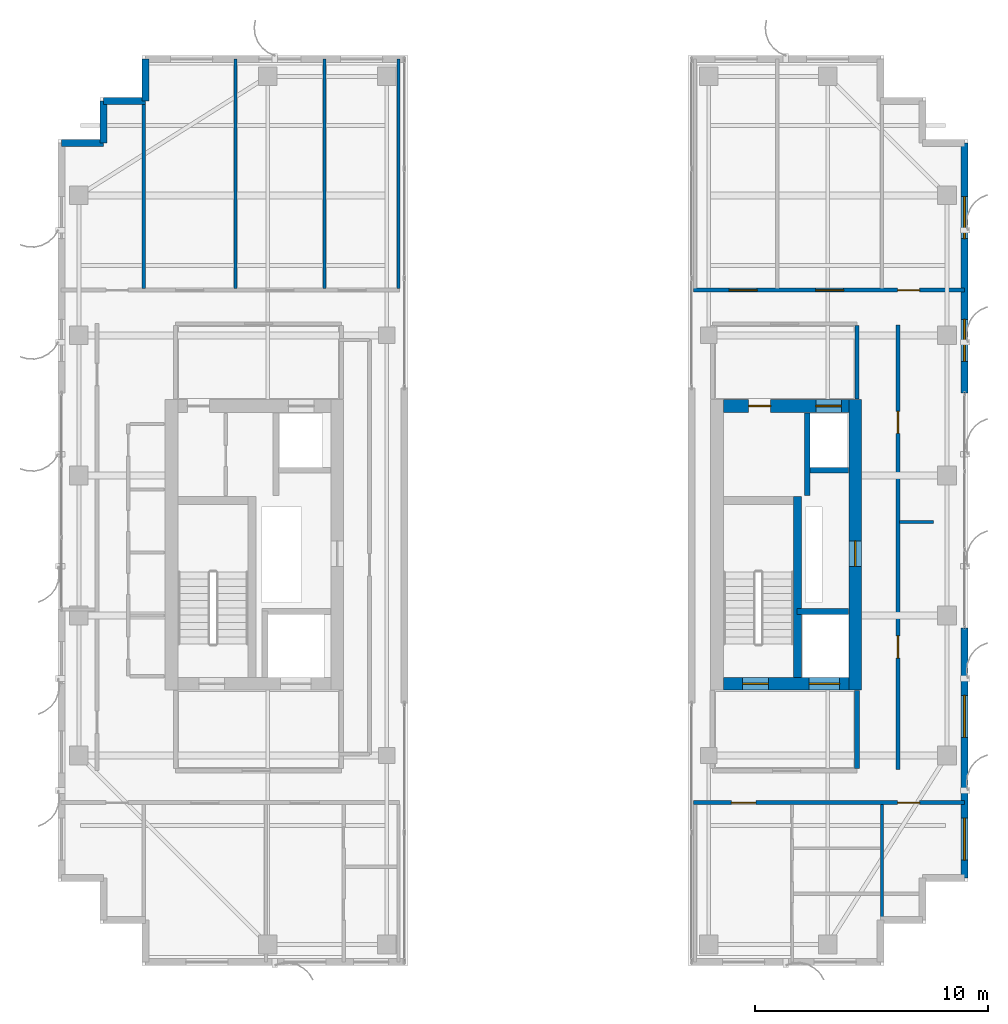
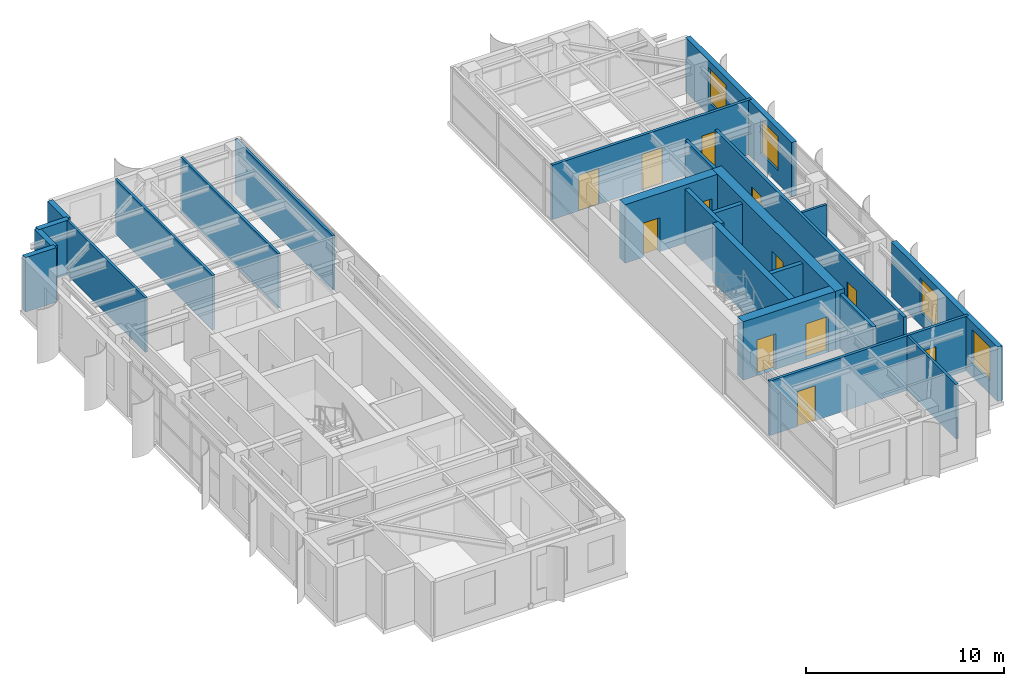
# One storey, part 20 of 24: 24 walls, 12 doors, 4 windows, 16 openings.
"""IFC4 building model written with IfcOpenShell, lengths in metres."""

from ifc_helpers import new_model, si_unit, direction, frame, frame_2d, origin, place, context, subcontext, project, spatial, rectangle, extrude, source, transform, mapped, material, layer, layer_set, type_object, element, fill, save


model = new_model("IFC4")

# Units and contexts
model_context = context("Model", 3, precision=1e-05, world=origin(), true_north=direction((0.0, 1.0)))
body_context = subcontext(model_context, "Body", "Model", "MODEL_VIEW")
ifc_project = project(units=[si_unit("LENGTHUNIT", "METRE"), si_unit("AREAUNIT", "SQUARE_METRE"), si_unit("VOLUMEUNIT", "CUBIC_METRE"), si_unit("PLANEANGLEUNIT", "RADIAN"), si_unit("MASSUNIT", "GRAM", prefix="KILO")], contexts=[model_context])

# Site, building, storey
site_placement = place(None, origin())
site = spatial("IfcSite", under=ifc_project, at=site_placement, CompositionType="ELEMENT")
building_placement = place(site_placement, origin())
building = spatial("IfcBuilding", under=site, at=building_placement, Name="Khoralis Quay Care Tower", CompositionType="ELEMENT")
storey_placement = place(building_placement, frame((0.0, 0.0, 238.5)))
storey = spatial("IfcBuildingStorey", under=building, at=storey_placement, Name="L62", CompositionType="ELEMENT", Elevation=238.5)

# Wall
ifc_material_1 = material(Name="Gypsum plasterboard on acoustic metal stud")
ifc_layer_1 = layer(ifc_material_1, 0.199951171875)
ifc_layer_set_1 = layer_set([ifc_layer_1], Name="Gypsum plasterboard on acoustic metal stud")
wall_type_1 = type_object("IfcWallType", Name="WL-COMP-200", PredefinedType="PARTITIONING", material=ifc_layer_set_1)
wall_1_placement = place(storey_placement, frame((37.25, 11.445068359375, 0.0), z_axis=(0.0, 0.0, 1.0), x_axis=(0.0, 1.0, 0.0)))
element("IfcWall", 1, at=wall_1_placement, inside=storey, type_object=wall_type_1, Name="L62 East Firefighting Lobby East Wall", PredefinedType="PARTITIONING", context=body_context, shape_type="SweptSolid", body=[
    extrude(rectangle(XDim=3.3349609375, YDim=0.199951171875, at=frame_2d((1.66748046875, 0.0))), origin(), (0.0, 0.0, 1.0), 3.360107421875),
])

# Wall, opening, door
ifc_material_2 = material(Name="Concrete C65/80", Category="concrete")
ifc_layer_2 = layer(ifc_material_2, 0.550048828125)
ifc_layer_set_2 = layer_set([ifc_layer_2], Name="Concrete C65/80")
wall_type_2 = type_object("IfcWallType", Name="WL-CORE-550", PredefinedType="SHEAR", material=ifc_layer_set_2)
wall_2_placement = place(storey_placement, frame((37.175048828125, 14.800048828125, 0.0), z_axis=(0.0, 0.0, 1.0), x_axis=(0.0, 1.0, 0.0)))
wall_2 = element("IfcWall", 2, at=wall_2_placement, inside=storey, type_object=wall_type_2, Name="L62 ECORE East Shear Wall", PredefinedType="SHEAR", context=body_context, shape_type="SweptSolid", body=[
    extrude(rectangle(XDim=12.449951171875, YDim=0.550048828125, at=frame_2d((6.22509765625, 0.0))), origin(), (0.0, 0.0, 1.0), 3.60009765625),
])
opening_1_placement = place(wall_2_placement, frame((5.300048828125, 0.0, 0.0)))
opening_1 = element("IfcOpeningElement", 3, at=opening_1_placement, cuts=wall_2, Name="Opening SD1", PredefinedType="OPENING", context=body_context, shape_type="SweptSolid", body=[
    extrude(rectangle(XDim=1.10009765625, YDim=2.199951171875, at=frame_2d((0.550048828125, 1.10009765625))), frame((0.0, 0.28515625, 0.0), z_axis=(0.0, -1.0, 0.0), x_axis=(1.0, 0.0, 0.0)), (0.0, 0.0, 1.0), 0.570068359375),
])
ifc_material_3 = material(Name="Fire-rated painted steel", Category="steel")
door_type_1 = type_object("IfcDoorType", Name="DR-STAIR-1100X2200", OperationType="NOTDEFINED", PredefinedType="DOOR", material=ifc_material_3)
shared_shape_1 = source(origin(), body_context, "Body", "SweptSolid", [
    extrude(rectangle(XDim=1.10009765625, YDim=2.199951171875, at=frame_2d((0.550048828125, 1.10009765625))), frame((0.0, 0.02490234375, 0.0), z_axis=(0.0, -1.0, 0.0), x_axis=(1.0, 0.0, 0.0)), (0.0, 0.0, 1.0), 0.050048828125),
])
door_1_placement = place(opening_1_placement, frame((1.10009765625, 0.0, 0.0), z_axis=(0.0, 0.0, 1.0), x_axis=(-1.0, 0.0, 0.0)))
door_1 = element("IfcDoor", 4, at=door_1_placement, inside=storey, type_object=door_type_1, Name="L62 East MEP Riser Door", OperationType="SINGLE_SWING_LEFT", OverallHeight=2.199951171875, OverallWidth=1.10009765625, PredefinedType="DOOR", context=body_context, shape_type="MappedRepresentation", body=[
    mapped(shared_shape_1, transform((0.0, 0.0, 0.0), scale=1.0)),
])
fill(opening_1, door_1)

# Wall, openings, doors
wall_3_placement = place(storey_placement, frame((31.52001953125, 15.074951171875, 0.0), z_axis=(0.0, 0.0, 1.0), x_axis=(1.0, 0.0, 0.0)))
wall_3 = element("IfcWall", 5, at=wall_3_placement, inside=storey, type_object=wall_type_2, Name="L62 ECORE South Shear Wall", PredefinedType="SHEAR", context=body_context, shape_type="SweptSolid", body=[
    extrude(rectangle(XDim=5.3798828125, YDim=0.550048828125, at=frame_2d((2.68994140625, 0.0))), origin(), (0.0, 0.0, 1.0), 3.60009765625),
])
opening_2_placement = place(wall_3_placement, frame((0.830078125, 0.0, 0.0)))
opening_2 = element("IfcOpeningElement", 6, at=opening_2_placement, cuts=wall_3, Name="Opening SD1", PredefinedType="OPENING", context=body_context, shape_type="SweptSolid", body=[
    extrude(rectangle(XDim=1.10009765625, YDim=2.199951171875, at=frame_2d((0.550048828125, 1.10009765625))), frame((0.0, 0.28515625, 0.0), z_axis=(0.0, -1.0, 0.0), x_axis=(1.0, 0.0, 0.0)), (0.0, 0.0, 1.0), 0.570068359375),
])
opening_3_placement = place(wall_3_placement, frame((3.679931640625, 0.0, 0.0)))
opening_3 = element("IfcOpeningElement", 7, at=opening_3_placement, cuts=wall_3, Name="Opening LD2", PredefinedType="OPENING", context=body_context, shape_type="SweptSolid", body=[
    extrude(rectangle(XDim=1.300048828125, YDim=2.199951171875, at=frame_2d((0.64990234375, 1.10009765625))), frame((0.0, 0.28515625, 0.0), z_axis=(0.0, -1.0, 0.0), x_axis=(1.0, 0.0, 0.0)), (0.0, 0.0, 1.0), 0.570068359375),
])
door_2_placement = place(opening_2_placement, origin())
door_2 = element("IfcDoor", 8, at=door_2_placement, inside=storey, type_object=door_type_1, Name="L62 Stair ST-T2 Fire Door", OperationType="SINGLE_SWING_LEFT", OverallHeight=2.199951171875, OverallWidth=1.10009765625, PredefinedType="DOOR", context=body_context, shape_type="MappedRepresentation", body=[
    mapped(shared_shape_1, transform((0.0, 0.0, 0.0), scale=1.0)),
])
fill(opening_2, door_2)
ifc_material_4 = material(Name="Brushed stainless steel", Category="steel")
door_type_2 = type_object("IfcDoorType", Name="DR-LIFT-1300X2200", OperationType="SLIDING_TO_RIGHT", PredefinedType="DOOR", material=ifc_material_4)
shared_shape_2 = source(origin(), body_context, "Body", "SweptSolid", [
    extrude(rectangle(XDim=1.300048828125, YDim=2.199951171875, at=frame_2d((0.64990234375, 1.10009765625))), frame((0.0, 0.02490234375, 0.0), z_axis=(0.0, -1.0, 0.0), x_axis=(1.0, 0.0, 0.0)), (0.0, 0.0, 1.0), 0.050048828125),
])
door_3_placement = place(opening_3_placement, origin())
door_3 = element("IfcDoor", 9, at=door_3_placement, inside=storey, type_object=door_type_2, Name="L62 Firefighting Lift FFL-2 Landing Door", OperationType="SLIDING_TO_RIGHT", OverallHeight=2.199951171875, OverallWidth=1.300048828125, PredefinedType="DOOR", context=body_context, shape_type="MappedRepresentation", body=[
    mapped(shared_shape_2, transform((0.0, 0.0, 0.0), scale=1.0)),
])
fill(opening_3, door_3)

wall_4_placement = place(storey_placement, frame((31.52001953125, 26.97509765625, 0.0), z_axis=(0.0, 0.0, 1.0), x_axis=(1.0, 0.0, 0.0)))
wall_4 = element("IfcWall", 10, at=wall_4_placement, inside=storey, type_object=wall_type_2, Name="L62 ECORE North Shear Wall", PredefinedType="SHEAR", context=body_context, shape_type="SweptSolid", body=[
    extrude(rectangle(XDim=5.3798828125, YDim=0.550048828125, at=frame_2d((2.68994140625, 0.0))), origin(), (0.0, 0.0, 1.0), 3.60009765625),
])
opening_4_placement = place(wall_4_placement, frame((1.080078125, 0.0, 0.0)))
opening_4 = element("IfcOpeningElement", 11, at=opening_4_placement, cuts=wall_4, Name="Opening ID1", PredefinedType="OPENING", context=body_context, shape_type="SweptSolid", body=[
    extrude(rectangle(XDim=0.949951171875, YDim=2.10009765625, at=frame_2d((0.47509765625, 1.050048828125))), frame((0.0, 0.28515625, 0.0), z_axis=(0.0, -1.0, 0.0), x_axis=(1.0, 0.0, 0.0)), (0.0, 0.0, 1.0), 0.570068359375),
])
opening_5_placement = place(wall_4_placement, frame((3.9599609375, 0.0, 0.0)))
opening_5 = element("IfcOpeningElement", 12, at=opening_5_placement, cuts=wall_4, Name="Opening LD1", PredefinedType="OPENING", context=body_context, shape_type="SweptSolid", body=[
    extrude(rectangle(XDim=1.10009765625, YDim=2.199951171875, at=frame_2d((0.550048828125, 1.10009765625))), frame((0.0, 0.28515625, 0.0), z_axis=(0.0, -1.0, 0.0), x_axis=(1.0, 0.0, 0.0)), (0.0, 0.0, 1.0), 0.570068359375),
])
door_type_3 = type_object("IfcDoorType", Name="DR-LIFT-1100X2200", OperationType="SLIDING_TO_LEFT", PredefinedType="DOOR", material=ifc_material_4)
shared_shape_3 = source(origin(), body_context, "Body", "SweptSolid", [
    extrude(rectangle(XDim=1.10009765625, YDim=2.199951171875, at=frame_2d((0.550048828125, 1.10009765625))), frame((0.0, 0.02490234375, 0.0), z_axis=(0.0, -1.0, 0.0), x_axis=(1.0, 0.0, 0.0)), (0.0, 0.0, 1.0), 0.050048828125),
])
door_4_placement = place(opening_5_placement, origin())
door_4 = element("IfcDoor", 13, at=door_4_placement, inside=storey, type_object=door_type_3, Name="L62 Lift PLH2 Landing Door", OperationType="SLIDING_TO_LEFT", OverallHeight=2.199951171875, OverallWidth=1.10009765625, PredefinedType="DOOR", context=body_context, shape_type="MappedRepresentation", body=[
    mapped(shared_shape_3, transform((0.0, 0.0, 0.0), scale=1.0)),
])
fill(opening_5, door_4)
ifc_material_5 = material(Name="Acoustic hardwood timber", Category="wood")
door_type_4 = type_object("IfcDoorType", Name="DR-ROOM-950X2100", OperationType="NOTDEFINED", PredefinedType="DOOR", material=ifc_material_5)
shared_shape_4 = source(origin(), body_context, "Body", "SweptSolid", [
    extrude(rectangle(XDim=0.949951171875, YDim=2.10009765625, at=frame_2d((0.47509765625, 1.050048828125))), frame((0.0, 0.02490234375, 0.0), z_axis=(0.0, -1.0, 0.0), x_axis=(1.0, 0.0, 0.0)), (0.0, 0.0, 1.0), 0.050048828125),
])
door_5_placement = place(opening_4_placement, frame((0.949951171875, 0.0, 0.0), z_axis=(0.0, 0.0, 1.0), x_axis=(-1.0, 0.0, 0.0)))
door_5 = element("IfcDoor", 14, at=door_5_placement, inside=storey, type_object=door_type_4, Name="L62 Rehab Gym Door", OperationType="SINGLE_SWING_LEFT", OverallHeight=2.10009765625, OverallWidth=0.949951171875, PredefinedType="DOOR", context=body_context, shape_type="MappedRepresentation", body=[
    mapped(shared_shape_4, transform((0.0, 0.0, 0.0), scale=1.0)),
])
fill(opening_4, door_5)

# Wall
ifc_layer_3 = layer(ifc_material_1, 0.1650390625)
ifc_layer_set_3 = layer_set([ifc_layer_3], Name="Gypsum plasterboard on acoustic metal stud")
wall_type_3 = type_object("IfcWallType", Name="WL-CORR-165", PredefinedType="PARTITIONING", material=ifc_layer_set_3)
wall_5_placement = place(storey_placement, frame((37.25, 27.27001953125, 0.0), z_axis=(0.0, 0.0, 1.0), x_axis=(0.0, 1.0, 0.0)))
element("IfcWall", 15, at=wall_5_placement, inside=storey, type_object=wall_type_3, Name="L62 East Lift Lobby East Wall", PredefinedType="PARTITIONING", context=body_context, shape_type="SweptSolid", body=[
    extrude(rectangle(XDim=3.152587890625, YDim=0.1650390625, at=frame_2d((1.576171875, 0.0))), origin(), (0.0, 0.0, 1.0), 3.360107421875),
])

# Wall, openings, doors
wall_6_placement = place(storey_placement, frame((30.25, 9.97998046875, 0.0), z_axis=(0.0, 0.0, 1.0), x_axis=(1.0, 0.0, 0.0)))
wall_6 = element("IfcWall", 16, at=wall_6_placement, inside=storey, type_object=wall_type_3, Name="L62 East Wing South Corridor Wall", PredefinedType="PARTITIONING", context=body_context, shape_type="SweptSolid", body=[
    extrude(rectangle(XDim=11.60498046875, YDim=0.1650390625, at=frame_2d((5.802490234375, 0.0))), origin(), (0.0, 0.0, 1.0), 3.360107421875),
])
opening_6_placement = place(wall_6_placement, frame((1.610107421875, 0.0, 0.0)))
opening_6 = element("IfcOpeningElement", 17, at=opening_6_placement, cuts=wall_6, Name="Opening UD1", PredefinedType="OPENING", context=body_context, shape_type="SweptSolid", body=[
    extrude(rectangle(XDim=1.050048828125, YDim=2.14990234375, at=frame_2d((0.52490234375, 1.074951171875))), frame((0.0, 0.092529296875, 0.0), z_axis=(0.0, -1.0, 0.0), x_axis=(1.0, 0.0, 0.0)), (0.0, 0.0, 1.0), 0.18505859375),
])
opening_7_placement = place(wall_6_placement, frame((8.735107421875, 0.0, 0.0)))
opening_7 = element("IfcOpeningElement", 18, at=opening_7_placement, cuts=wall_6, Name="Opening ID1", PredefinedType="OPENING", context=body_context, shape_type="SweptSolid", body=[
    extrude(rectangle(XDim=0.949951171875, YDim=2.10009765625, at=frame_2d((0.47509765625, 1.050048828125))), frame((0.0, 0.092529296875, 0.0), z_axis=(0.0, -1.0, 0.0), x_axis=(1.0, 0.0, 0.0)), (0.0, 0.0, 1.0), 0.18505859375),
])
door_6_placement = place(opening_7_placement, frame((0.949951171875, 0.0, 0.0), z_axis=(0.0, 0.0, 1.0), x_axis=(-1.0, 0.0, 0.0)))
door_6 = element("IfcDoor", 19, at=door_6_placement, inside=storey, type_object=door_type_4, Name="L62 SE Corner Door", OperationType="SINGLE_SWING_RIGHT", OverallHeight=2.10009765625, OverallWidth=0.949951171875, PredefinedType="DOOR", context=body_context, shape_type="MappedRepresentation", body=[
    mapped(shared_shape_4, transform((0.0, 0.0, 0.0), scale=1.0)),
])
fill(opening_7, door_6)
door_type_5 = type_object("IfcDoorType", Name="DR-SUITE-1050X2150", OperationType="NOTDEFINED", PredefinedType="DOOR", material=ifc_material_5)
shared_shape_5 = source(origin(), body_context, "Body", "SweptSolid", [
    extrude(rectangle(XDim=1.050048828125, YDim=2.14990234375, at=frame_2d((0.52490234375, 1.074951171875))), frame((0.0, 0.02490234375, 0.0), z_axis=(0.0, -1.0, 0.0), x_axis=(1.0, 0.0, 0.0)), (0.0, 0.0, 1.0), 0.050048828125),
])
door_7_placement = place(opening_6_placement, frame((1.050048828125, 0.0, 0.0), z_axis=(0.0, 0.0, 1.0), x_axis=(-1.0, 0.0, 0.0)))
door_7 = element("IfcDoor", 20, at=door_7_placement, inside=storey, type_object=door_type_5, Name="L62 Apartment ES0 Entrance Door", OperationType="SINGLE_SWING_LEFT", OverallHeight=2.14990234375, OverallWidth=1.050048828125, PredefinedType="DOOR", context=body_context, shape_type="MappedRepresentation", body=[
    mapped(shared_shape_5, transform((0.0, 0.0, 0.0), scale=1.0)),
])
fill(opening_6, door_7)

wall_7_placement = place(storey_placement, frame((30.25, 31.93994140625, 0.0), z_axis=(0.0, 0.0, 1.0), x_axis=(1.0, 0.0, 0.0)))
wall_7 = element("IfcWall", 21, at=wall_7_placement, inside=storey, type_object=wall_type_3, Name="L62 East Wing North Corridor Wall", PredefinedType="PARTITIONING", context=body_context, shape_type="SweptSolid", body=[
    extrude(rectangle(XDim=11.60498046875, YDim=0.1650390625, at=frame_2d((5.802490234375, 0.0))), origin(), (0.0, 0.0, 1.0), 3.360107421875),
])
opening_8_placement = place(wall_7_placement, frame((1.514892578125, 0.0, 0.0)))
opening_8 = element("IfcOpeningElement", 22, at=opening_8_placement, cuts=wall_7, Name="Opening FD1", PredefinedType="OPENING", context=body_context, shape_type="SweptSolid", body=[
    extrude(rectangle(XDim=1.199951171875, YDim=2.199951171875, at=frame_2d((0.60009765625, 1.10009765625))), frame((0.0, 0.092529296875, 0.0), z_axis=(0.0, -1.0, 0.0), x_axis=(1.0, 0.0, 0.0)), (0.0, 0.0, 1.0), 0.18505859375),
])
opening_9_placement = place(wall_7_placement, frame((5.22509765625, 0.0, 0.0)))
opening_9 = element("IfcOpeningElement", 23, at=opening_9_placement, cuts=wall_7, Name="Opening FD1", PredefinedType="OPENING", context=body_context, shape_type="SweptSolid", body=[
    extrude(rectangle(XDim=1.199951171875, YDim=2.199951171875, at=frame_2d((0.60009765625, 1.10009765625))), frame((0.0, 0.092529296875, 0.0), z_axis=(0.0, -1.0, 0.0), x_axis=(1.0, 0.0, 0.0)), (0.0, 0.0, 1.0), 0.18505859375),
])
opening_10_placement = place(wall_7_placement, frame((8.735107421875, 0.0, 0.0)))
opening_10 = element("IfcOpeningElement", 24, at=opening_10_placement, cuts=wall_7, Name="Opening ID1", PredefinedType="OPENING", context=body_context, shape_type="SweptSolid", body=[
    extrude(rectangle(XDim=0.949951171875, YDim=2.10009765625, at=frame_2d((0.47509765625, 1.050048828125))), frame((0.0, 0.092529296875, 0.0), z_axis=(0.0, -1.0, 0.0), x_axis=(1.0, 0.0, 0.0)), (0.0, 0.0, 1.0), 0.18505859375),
])
door_type_6 = type_object("IfcDoorType", Name="DR-FFL-1200X2200", OperationType="NOTDEFINED", PredefinedType="DOOR", material=ifc_material_3)
shared_shape_6 = source(origin(), body_context, "Body", "SweptSolid", [
    extrude(rectangle(XDim=1.199951171875, YDim=2.199951171875, at=frame_2d((0.60009765625, 1.10009765625))), frame((0.0, 0.02490234375, 0.0), z_axis=(0.0, -1.0, 0.0), x_axis=(1.0, 0.0, 0.0)), (0.0, 0.0, 1.0), 0.050048828125),
])
door_8_placement = place(opening_8_placement, origin())
door_8 = element("IfcDoor", 25, at=door_8_placement, inside=storey, type_object=door_type_6, Name="L62 Resident Communal Day Lounge Door", OperationType="DOUBLE_DOOR_SINGLE_SWING", OverallHeight=2.199951171875, OverallWidth=1.199951171875, PredefinedType="DOOR", context=body_context, shape_type="MappedRepresentation", body=[
    mapped(shared_shape_6, transform((0.0, 0.0, 0.0), scale=1.0)),
])
fill(opening_8, door_8)
door_9_placement = place(opening_9_placement, origin())
door_9 = element("IfcDoor", 26, at=door_9_placement, inside=storey, type_object=door_type_6, Name="L62 Resident Communal Day Lounge Door", OperationType="DOUBLE_DOOR_SINGLE_SWING", OverallHeight=2.199951171875, OverallWidth=1.199951171875, PredefinedType="DOOR", context=body_context, shape_type="MappedRepresentation", body=[
    mapped(shared_shape_6, transform((0.0, 0.0, 0.0), scale=1.0)),
])
fill(opening_9, door_9)
door_10_placement = place(opening_10_placement, origin())
door_10 = element("IfcDoor", 27, at=door_10_placement, inside=storey, type_object=door_type_4, Name="L62 NE Corner Door", OperationType="SINGLE_SWING_LEFT", OverallHeight=2.10009765625, OverallWidth=0.949951171875, PredefinedType="DOOR", context=body_context, shape_type="MappedRepresentation", body=[
    mapped(shared_shape_4, transform((0.0, 0.0, 0.0), scale=1.0)),
])
fill(opening_10, door_10)

wall_8_placement = place(storey_placement, frame((39.0, 11.39990234375, 0.0), z_axis=(0.0, 0.0, 1.0), x_axis=(0.0, 1.0, 0.0)))
wall_8 = element("IfcWall", 28, at=wall_8_placement, inside=storey, type_object=wall_type_3, Name="L62 East High-Rise Suite Wall", PredefinedType="PARTITIONING", context=body_context, shape_type="SweptSolid", body=[
    extrude(rectangle(XDim=19.050048828125, YDim=0.1650390625, at=frame_2d((9.52490234375, 0.0))), origin(), (0.0, 0.0, 1.0), 3.360107421875),
])
opening_11_placement = place(wall_8_placement, frame((4.77490234375, 0.0, 0.0)))
opening_11 = element("IfcOpeningElement", 29, at=opening_11_placement, cuts=wall_8, Name="Opening ID1", PredefinedType="OPENING", context=body_context, shape_type="SweptSolid", body=[
    extrude(rectangle(XDim=0.949951171875, YDim=2.10009765625, at=frame_2d((0.47509765625, 1.050048828125))), frame((0.0, 0.092529296875, 0.0), z_axis=(0.0, -1.0, 0.0), x_axis=(1.0, 0.0, 0.0)), (0.0, 0.0, 1.0), 0.18505859375),
])
opening_12_placement = place(wall_8_placement, frame((14.39990234375, 0.0, 0.0)))
opening_12 = element("IfcOpeningElement", 30, at=opening_12_placement, cuts=wall_8, Name="Opening ID1", PredefinedType="OPENING", context=body_context, shape_type="SweptSolid", body=[
    extrude(rectangle(XDim=0.949951171875, YDim=2.10009765625, at=frame_2d((0.47509765625, 1.050048828125))), frame((0.0, 0.092529296875, 0.0), z_axis=(0.0, -1.0, 0.0), x_axis=(1.0, 0.0, 0.0)), (0.0, 0.0, 1.0), 0.18505859375),
])
door_11_placement = place(opening_11_placement, origin())
door_11 = element("IfcDoor", 31, at=door_11_placement, inside=storey, type_object=door_type_4, Name="L62 East High-Rise Rehab Clinic Door", OperationType="SINGLE_SWING_LEFT", OverallHeight=2.10009765625, OverallWidth=0.949951171875, PredefinedType="DOOR", context=body_context, shape_type="MappedRepresentation", body=[
    mapped(shared_shape_4, transform((0.0, 0.0, 0.0), scale=1.0)),
])
fill(opening_11, door_11)
door_12_placement = place(opening_12_placement, origin())
door_12 = element("IfcDoor", 32, at=door_12_placement, inside=storey, type_object=door_type_4, Name="L62 East High-Rise Care Office Door", OperationType="SINGLE_SWING_RIGHT", OverallHeight=2.10009765625, OverallWidth=0.949951171875, PredefinedType="DOOR", context=body_context, shape_type="MappedRepresentation", body=[
    mapped(shared_shape_4, transform((0.0, 0.0, 0.0), scale=1.0)),
])
fill(opening_12, door_12)

# Walls
ifc_material_6 = material(Name="Precast concrete C45/55", Category="concrete")
ifc_layer_4 = layer(ifc_material_6, 0.300048828125)
ifc_layer_set_4 = layer_set([ifc_layer_4], Name="Precast concrete C45/55")
wall_type_4 = type_object("IfcWallType", Name="WL-EXT-REF-300", PredefinedType="SOLIDWALL", material=ifc_layer_set_4)
for number, where, z_axis, x_axis, name in (
    (33, (6.75, 41.85009765625, 0.0), (0.0, 0.0, 1.0), (0.0, -1.0, 0.0), "L62 External Facade Wall WL-EXT-L62-P1-C3"),
    (34, (6.75, 40.050048828125, 0.0), (0.0, 0.0, 1.0), (-1.0, 0.0, 0.0), "L62 External Facade Wall WL-EXT-L62-P1-C4"),
    (35, (4.949951171875, 40.050048828125, 0.0), (0.0, 0.0, 1.0), (0.0, -1.0, 0.0), "L62 External Facade Wall WL-EXT-L62-P1-C5"),
    (36, (4.949951171875, 38.25, 0.0), (0.0, 0.0, 1.0), (-1.0, 0.0, 0.0), "L62 External Facade Wall WL-EXT-L62-P1-C6"),
):
    element("IfcWall", number, at=place(storey_placement, frame(where, z_axis=z_axis, x_axis=x_axis)), inside=storey, type_object=wall_type_4, Name=name, PredefinedType="SOLIDWALL", context=body_context, shape_type="SweptSolid", body=[
        extrude(rectangle(XDim=1.800048828125, YDim=0.300048828125, at=frame_2d((0.89990234375, 0.0))), origin(), (0.0, 0.0, 1.0), 3.360107421875),
    ])

# Wall, openings, windows
wall_9_placement = place(storey_placement, frame((41.85009765625, 6.75, 0.0), z_axis=(0.0, 0.0, 1.0), x_axis=(0.0, 1.0, 0.0)))
wall_9 = element("IfcWall", 37, at=wall_9_placement, inside=storey, type_object=wall_type_4, Name="L62 External Facade Wall WL-EXT-L62-P2-E5A", PredefinedType="SOLIDWALL", context=body_context, shape_type="SweptSolid", body=[
    extrude(rectangle(XDim=10.7099609375, YDim=0.300048828125, at=frame_2d((5.35498046875, 0.0))), origin(), (0.0, 0.0, 1.0), 3.360107421875),
])
opening_13_placement = place(wall_9_placement, frame((0.764892578125, 0.0, 0.800048828125)))
opening_13 = element("IfcOpeningElement", 38, at=opening_13_placement, cuts=wall_9, Name="Opening W2", PredefinedType="OPENING", context=body_context, shape_type="SweptSolid", body=[
    extrude(rectangle(XDim=1.800048828125, YDim=2.10009765625, at=frame_2d((0.89990234375, 1.050048828125))), frame((0.0, 0.16015625, 0.0), z_axis=(0.0, -1.0, 0.0), x_axis=(1.0, 0.0, 0.0)), (0.0, 0.0, 1.0), 0.320068359375),
])
opening_14_placement = place(wall_9_placement, frame((6.02001953125, 0.0, 0.800048828125)))
opening_14 = element("IfcOpeningElement", 39, at=opening_14_placement, cuts=wall_9, Name="Opening W2", PredefinedType="OPENING", context=body_context, shape_type="SweptSolid", body=[
    extrude(rectangle(XDim=1.800048828125, YDim=2.10009765625, at=frame_2d((0.89990234375, 1.050048828125))), frame((0.0, 0.16015625, 0.0), z_axis=(0.0, -1.0, 0.0), x_axis=(1.0, 0.0, 0.0)), (0.0, 0.0, 1.0), 0.320068359375),
])
ifc_material_7 = material(Name="Low-E solar-control double glazing", Category="glass")
window_type = type_object("IfcWindowType", Name="WN-POD-1800X2100", PartitioningType="SINGLE_PANEL", PredefinedType="WINDOW", material=ifc_material_7)
shared_shape_7 = source(origin(), body_context, "Body", "SweptSolid", [
    extrude(rectangle(XDim=1.800048828125, YDim=2.10009765625, at=frame_2d((0.89990234375, 1.050048828125))), frame((0.0, 0.030029296875, 0.0), z_axis=(0.0, -1.0, 0.0), x_axis=(1.0, 0.0, 0.0)), (0.0, 0.0, 1.0), 0.06005859375),
])
window_1_placement = place(opening_13_placement, origin())
window_1 = element("IfcWindow", 40, at=window_1_placement, inside=storey, type_object=window_type, Name="WN-L62-P2-E5A Facade Window 01", OverallHeight=2.10009765625, OverallWidth=1.800048828125, PartitioningType="SINGLE_PANEL", PredefinedType="WINDOW", context=body_context, shape_type="MappedRepresentation", body=[
    mapped(shared_shape_7, transform((0.0, 0.0, 0.0), scale=1.0)),
])
fill(opening_13, window_1)
window_2_placement = place(opening_14_placement, origin())
window_2 = element("IfcWindow", 41, at=window_2_placement, inside=storey, type_object=window_type, Name="WN-L62-P2-E5A Facade Window 02", OverallHeight=2.10009765625, OverallWidth=1.800048828125, PartitioningType="SINGLE_PANEL", PredefinedType="WINDOW", context=body_context, shape_type="MappedRepresentation", body=[
    mapped(shared_shape_7, transform((0.0, 0.0, 0.0), scale=1.0)),
])
fill(opening_14, window_2)

wall_10_placement = place(storey_placement, frame((41.85009765625, 27.5400390625, 0.0), z_axis=(0.0, 0.0, 1.0), x_axis=(0.0, 1.0, 0.0)))
wall_10 = element("IfcWall", 42, at=wall_10_placement, inside=storey, type_object=wall_type_4, Name="L62 External Facade Wall WL-EXT-L62-P2-E5B", PredefinedType="SOLIDWALL", context=body_context, shape_type="SweptSolid", body=[
    extrude(rectangle(XDim=10.7099609375, YDim=0.300048828125, at=frame_2d((5.35498046875, 0.0))), origin(), (0.0, 0.0, 1.0), 3.360107421875),
])
opening_15_placement = place(wall_10_placement, frame((1.35009765625, 0.0, 0.800048828125)))
opening_15 = element("IfcOpeningElement", 43, at=opening_15_placement, cuts=wall_10, Name="Opening W2", PredefinedType="OPENING", context=body_context, shape_type="SweptSolid", body=[
    extrude(rectangle(XDim=1.800048828125, YDim=2.10009765625, at=frame_2d((0.89990234375, 1.050048828125))), frame((0.0, 0.16015625, 0.0), z_axis=(0.0, -1.0, 0.0), x_axis=(1.0, 0.0, 0.0)), (0.0, 0.0, 1.0), 0.320068359375),
])
opening_16_placement = place(wall_10_placement, frame((6.60498046875, 0.0, 0.800048828125)))
opening_16 = element("IfcOpeningElement", 44, at=opening_16_placement, cuts=wall_10, Name="Opening W2", PredefinedType="OPENING", context=body_context, shape_type="SweptSolid", body=[
    extrude(rectangle(XDim=1.800048828125, YDim=2.10009765625, at=frame_2d((0.89990234375, 1.050048828125))), frame((0.0, 0.16015625, 0.0), z_axis=(0.0, -1.0, 0.0), x_axis=(1.0, 0.0, 0.0)), (0.0, 0.0, 1.0), 0.320068359375),
])
window_3_placement = place(opening_15_placement, origin())
window_3 = element("IfcWindow", 45, at=window_3_placement, inside=storey, type_object=window_type, Name="WN-L62-P2-E5B Facade Window 01", OverallHeight=2.10009765625, OverallWidth=1.800048828125, PartitioningType="SINGLE_PANEL", PredefinedType="WINDOW", context=body_context, shape_type="MappedRepresentation", body=[
    mapped(shared_shape_7, transform((0.0, 0.0, 0.0), scale=1.0)),
])
fill(opening_15, window_3)
window_4_placement = place(opening_16_placement, origin())
window_4 = element("IfcWindow", 46, at=window_4_placement, inside=storey, type_object=window_type, Name="WN-L62-P2-E5B Facade Window 02", OverallHeight=2.10009765625, OverallWidth=1.800048828125, PartitioningType="SINGLE_PANEL", PredefinedType="WINDOW", context=body_context, shape_type="MappedRepresentation", body=[
    mapped(shared_shape_7, transform((0.0, 0.0, 0.0), scale=1.0)),
])
fill(opening_16, window_4)

# Walls
ifc_material_8 = material(Name="Concrete C40/50", Category="concrete")
ifc_layer_5 = layer(ifc_material_8, 0.35009765625)
ifc_layer_set_5 = layer_set([ifc_layer_5], Name="Concrete C40/50")
wall_type_5 = type_object("IfcWallType", Name="WL-SC-CORE-350", PredefinedType="SHEAR", material=ifc_layer_set_5)
wall_11_placement = place(storey_placement, frame((34.695068359375, 15.35009765625, 0.0), z_axis=(0.0, 0.0, 1.0), x_axis=(0.0, 1.0, 0.0)))
element("IfcWall", 47, at=wall_11_placement, inside=storey, type_object=wall_type_5, Name="L62 Stair ST-T2 Shear Baffle Wall East", PredefinedType="SHEAR", context=body_context, shape_type="SweptSolid", body=[
    extrude(rectangle(XDim=7.75, YDim=0.35009765625, at=frame_2d((3.875, 0.0))), origin(), (0.0, 0.0, 1.0), 3.60009765625),
])
ifc_layer_6 = layer(ifc_material_1, 0.239990234375)
ifc_layer_set_6 = layer_set([ifc_layer_6], Name="Gypsum plasterboard on acoustic metal stud")
wall_type_6 = type_object("IfcWallType", Name="WL-SHAFT-240", PredefinedType="PARTITIONING", material=ifc_layer_set_6)
wall_12_placement = place(storey_placement, frame((34.679931640625, 18.169921875, 0.0), z_axis=(0.0, 0.0, 1.0), x_axis=(1.0, 0.0, 0.0)))
element("IfcWall", 48, at=wall_12_placement, inside=storey, type_object=wall_type_6, Name="L62 FFL-2 Shaft Wall North", PredefinedType="PARTITIONING", context=body_context, shape_type="SweptSolid", body=[
    extrude(rectangle(XDim=2.199951171875, YDim=0.239990234375, at=frame_2d((1.10009765625, 0.0))), origin(), (0.0, 0.0, 1.0), 3.360107421875),
])
wall_13_placement = place(storey_placement, frame((35.110107421875, 23.139892578125, 0.0), z_axis=(0.0, 0.0, 1.0), x_axis=(0.0, 1.0, 0.0)))
element("IfcWall", 49, at=wall_13_placement, inside=storey, type_object=wall_type_6, Name="L62 High-Rise Reclaimed Bay Wall East", PredefinedType="PARTITIONING", context=body_context, shape_type="SweptSolid", body=[
    extrude(rectangle(XDim=3.5400390625, YDim=0.239990234375, at=frame_2d((1.77001953125, 0.0))), origin(), (0.0, 0.0, 1.0), 3.360107421875),
])
wall_14_placement = place(storey_placement, frame((35.22509765625, 24.22998046875, 0.0), z_axis=(0.0, 0.0, 1.0), x_axis=(1.0, 0.0, 0.0)))
element("IfcWall", 50, at=wall_14_placement, inside=storey, type_object=wall_type_6, Name="L62 High-Rise Shaft South Wall East", PredefinedType="PARTITIONING", context=body_context, shape_type="SweptSolid", body=[
    extrude(rectangle(XDim=1.65478515625, YDim=0.239990234375, at=frame_2d((0.827392578125, 0.0))), origin(), (0.0, 0.0, 1.0), 3.360107421875),
])
ifc_layer_7 = layer(ifc_material_1, 0.139892578125)
ifc_layer_set_7 = layer_set([ifc_layer_7], Name="Gypsum plasterboard on acoustic metal stud")
wall_type_7 = type_object("IfcWallType", Name="WL-UNIT-140", PredefinedType="PARTITIONING", material=ifc_layer_set_7)
wall_15_placement = place(storey_placement, frame((39.077392578125, 22.0, 0.0), z_axis=(0.0, 0.0, 1.0), x_axis=(1.0, 0.0, 0.0)))
element("IfcWall", 51, at=wall_15_placement, inside=storey, type_object=wall_type_7, Name="L62 East High-Rise Split", PredefinedType="PARTITIONING", context=body_context, shape_type="SweptSolid", body=[
    extrude(rectangle(XDim=1.442626953125, YDim=0.139892578125, at=frame_2d((0.72119140625, 0.0))), origin(), (0.0, 0.0, 1.0), 3.360107421875),
])
wall_16_placement = place(storey_placement, frame((6.679931640625, 32.017578125, 0.0), z_axis=(0.0, 0.0, 1.0), x_axis=(0.0, 1.0, 0.0)))
element("IfcWall", 52, at=wall_16_placement, inside=storey, type_object=wall_type_7, Name="L62 WN Demising Wall 0", PredefinedType="PARTITIONING", context=body_context, shape_type="SweptSolid", body=[
    extrude(rectangle(XDim=8.037353515625, YDim=0.139892578125, at=frame_2d((4.0185546875, 0.0))), origin(), (0.0, 0.0, 1.0), 3.360107421875),
])
for number, where, z_axis, x_axis, name in (
    (53, (10.610107421875, 32.017578125, 0.0), (0.0, 0.0, 1.0), (0.0, 1.0, 0.0), "L62 WN Demising Wall 1"),
    (54, (14.429931640625, 32.017578125, 0.0), (0.0, 0.0, 1.0), (0.0, 1.0, 0.0), "L62 WN Demising Wall 2"),
    (55, (17.60009765625, 32.017578125, 0.0), (0.0, 0.0, 1.0), (0.0, 1.0, 0.0), "L62 WN Demising Wall 3"),
):
    element("IfcWall", number, at=place(storey_placement, frame(where, z_axis=z_axis, x_axis=x_axis)), inside=storey, type_object=wall_type_7, Name=name, PredefinedType="PARTITIONING", context=body_context, shape_type="SweptSolid", body=[
        extrude(rectangle(XDim=9.83740234375, YDim=0.139892578125, at=frame_2d((4.918701171875, 0.0))), origin(), (0.0, 0.0, 1.0), 3.360107421875),
    ])
wall_17_placement = place(storey_placement, frame((38.320068359375, 4.945068359375, 0.0), z_axis=(0.0, 0.0, 1.0), x_axis=(0.0, 1.0, 0.0)))
element("IfcWall", 56, at=wall_17_placement, inside=storey, type_object=wall_type_7, Name="L62 ES Demising Wall 1", PredefinedType="PARTITIONING", context=body_context, shape_type="SweptSolid", body=[
    extrude(rectangle(XDim=4.95751953125, YDim=0.139892578125, at=frame_2d((2.478759765625, 0.0))), origin(), (0.0, 0.0, 1.0), 3.360107421875),
])

save(model, "model.ifc")
